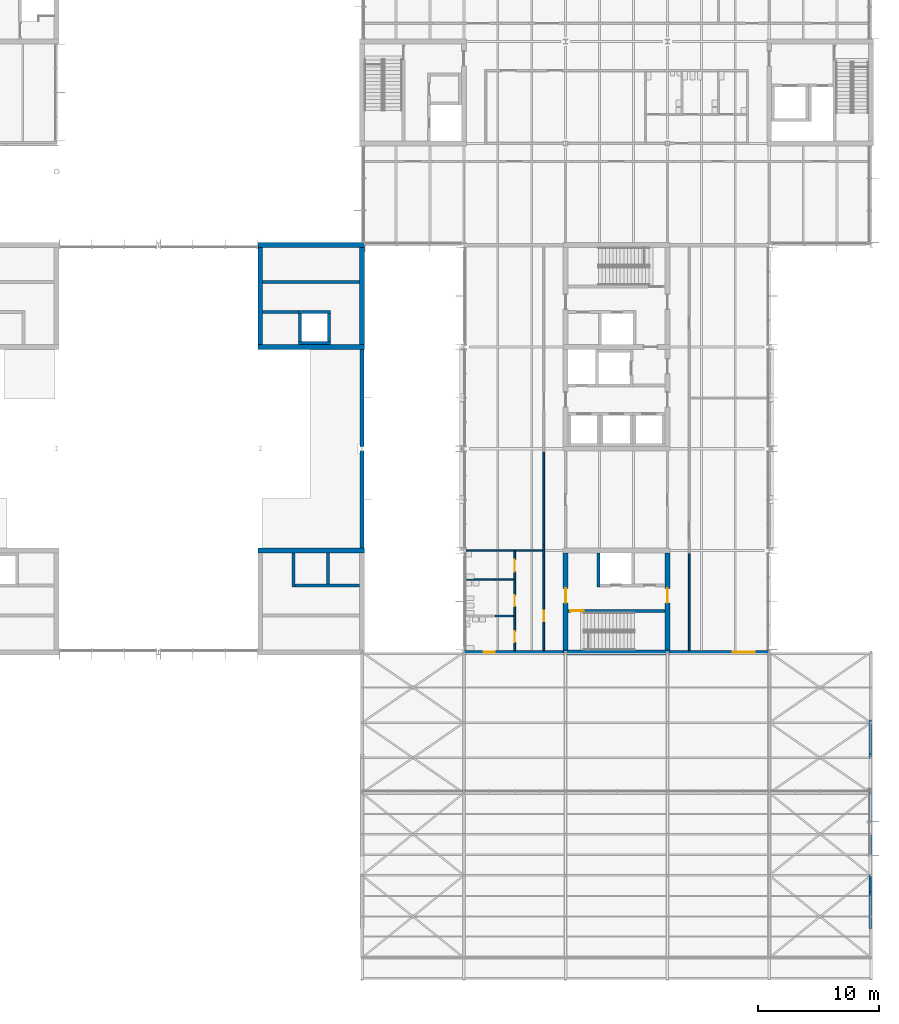
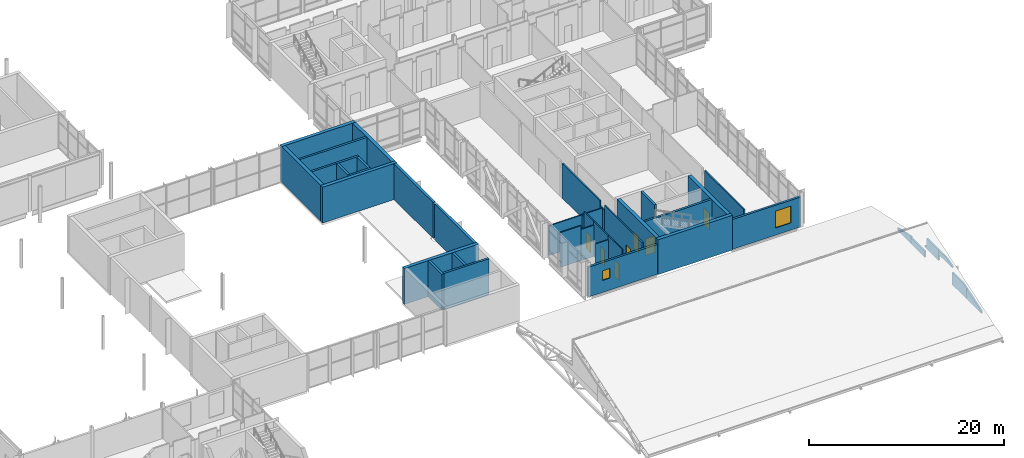
# One storey, part 53 of 89: 43 walls, 7 doors, 2 windows, 9 openings.
"""IFC4 building model written with IfcOpenShell, lengths in metres."""

import ifcopenshell
import ifcopenshell.guid

model = None  # the IFC model being written
_history = None  # IfcOwnerHistory: only IFC2X3 demands one
_inside = {}  # id of a spatial element -> (the spatial element, [elements in it])
_under = {}  # id of a project, library or spatial element -> (it, [spatial elements below it])
_declared = {}  # id of a project -> (the project, [libraries it declares])
_typed = {}  # id of a type object -> (the type object, [elements of that type])
_made_of = {}  # id of a material, layer set ... -> (it, [elements and type objects made of it])


def new_model(schema):
    """Start an empty IFC model of exactly this schema.

    Asked for "IFC4X3", IfcOpenShell would pick the latest addendum, in which some entities
    have other attributes; the version numbers below select the first issue.
    IFC2X3 requires an IfcOwnerHistory on every rooted entity: one is made here for all.
    """
    global model, _history
    if schema == "IFC4X3":
        model = ifcopenshell.file(schema_version=(4, 3, 0, 0))
    else:
        model = ifcopenshell.file(schema=schema)
    _inside.clear()
    _under.clear()
    _declared.clear()
    _typed.clear()
    _made_of.clear()
    _history = None
    if model.schema == "IFC2X3":
        org = make("IfcOrganization", Name="unknown")
        user = make(
            "IfcPersonAndOrganization",
            ThePerson=make("IfcPerson", FamilyName="unknown"),
            TheOrganization=org,
        )
        app = make(
            "IfcApplication",
            ApplicationDeveloper=org,
            Version="unknown",
            ApplicationFullName="unknown",
            ApplicationIdentifier="unknown",
        )
        _history = make(
            "IfcOwnerHistory",
            OwningUser=user,
            OwningApplication=app,
            ChangeAction="ADDED",
            CreationDate=0,
        )
    return model


def make(cls, **values):
    """One entity of the class cls with the attributes given. An attribute that is None is left unset."""
    return model.create_entity(
        cls, **{name: value for name, value in values.items() if value is not None}
    )


def rooted(cls, **values):
    """An entity with a GlobalId (a new one), such as an element, a storey or a relation."""
    return make(cls, GlobalId=ifcopenshell.guid.new(), OwnerHistory=_history, **values)


def si_unit(unit_type, name, prefix=None):
    """IfcSIUnit, for example si_unit("LENGTHUNIT", "METRE", prefix="MILLI")."""
    return make("IfcSIUnit", UnitType=unit_type, Prefix=prefix, Name=name)


def assignment(units):
    """IfcUnitAssignment: the units of a project."""
    return None if units is None else make("IfcUnitAssignment", Units=units)


def point(xyz):
    """IfcCartesianPoint."""
    return None if xyz is None else make("IfcCartesianPoint", Coordinates=xyz)


def direction(xyz):
    """IfcDirection."""
    return None if xyz is None else make("IfcDirection", DirectionRatios=xyz)


def frame(location, z_axis=None, x_axis=None):
    """IfcAxis2Placement3D, a coordinate frame: its origin and axes. An axis left out is left unset."""
    return make(
        "IfcAxis2Placement3D",
        Location=point(location),
        Axis=direction(z_axis),
        RefDirection=direction(x_axis),
    )


def frame_2d(location, x_axis=None):
    """IfcAxis2Placement2D, a coordinate frame in the plane: its origin and x axis."""
    return make(
        "IfcAxis2Placement2D", Location=point(location), RefDirection=direction(x_axis)
    )


def origin():
    """The frame at (0, 0, 0) with its axes left unset."""
    return frame((0.0, 0.0, 0.0))


def place(relative_to, where):
    """IfcLocalPlacement: puts the frame where relative to a parent placement (None: the world)."""
    return make(
        "IfcLocalPlacement", PlacementRelTo=relative_to, RelativePlacement=where
    )


def context(
    kind, dimensions, precision=None, world=None, true_north=None, identifier=None
):
    """IfcGeometricRepresentationContext, for example the 3D "Model" context."""
    return make(
        "IfcGeometricRepresentationContext",
        ContextIdentifier=identifier,
        ContextType=kind,
        CoordinateSpaceDimension=dimensions,
        Precision=precision,
        WorldCoordinateSystem=world,
        TrueNorth=true_north,
    )


def subcontext(parent, identifier, kind, view, scale=None):
    """IfcGeometricRepresentationSubContext, for example "Body" below "Model"."""
    return make(
        "IfcGeometricRepresentationSubContext",
        ContextIdentifier=identifier,
        ContextType=kind,
        ParentContext=parent,
        TargetScale=scale,
        TargetView=view,
    )


def project(units=None, contexts=None):
    """IfcProject with its units and contexts."""
    return rooted(
        "IfcProject",
        Name="project",
        RepresentationContexts=contexts,
        UnitsInContext=assignment(units),
    )


def spatial(cls, under=None, at=None, **own):
    """A site, building, storey or space (cls), placed at a placement, below another one or the project."""
    s = rooted(cls, ObjectPlacement=at, **own)
    if under is not None:
        _under.setdefault(under.id(), (under, []))[1].append(s)
    return s


def polyline(points):
    """IfcPolyline through the points."""
    return make("IfcPolyline", Points=[point(p) for p in points])


def profile(cls, at=None, kind="AREA", **sizes):
    """A parametric profile (cls). Its sizes go by their IFC names, for example OverallWidth=200.0."""
    return make(cls, ProfileType=kind, Position=at, **sizes)


def rectangle(**sizes):
    """IfcRectangleProfileDef."""
    return profile("IfcRectangleProfileDef", **sizes)


def outline(outer, holes=None, kind="AREA"):
    """IfcArbitraryClosedProfileDef: a profile drawn as a closed curve; with holes, ...WithVoids."""
    if holes is None:
        return make("IfcArbitraryClosedProfileDef", ProfileType=kind, OuterCurve=outer)
    return make(
        "IfcArbitraryProfileDefWithVoids",
        ProfileType=kind,
        OuterCurve=outer,
        InnerCurves=holes,
    )


def extrude(swept, where, along, depth):
    """IfcExtrudedAreaSolid: the profile swept, set in the frame where, extruded along a direction by depth."""
    return make(
        "IfcExtrudedAreaSolid",
        SweptArea=swept,
        Position=where,
        ExtrudedDirection=direction(along),
        Depth=depth,
    )


def shape(context_of_items, identifier, shape_type, items):
    """IfcShapeRepresentation: the items that make up one representation, for example the "Body"."""
    return make(
        "IfcShapeRepresentation",
        ContextOfItems=context_of_items,
        RepresentationIdentifier=identifier,
        RepresentationType=shape_type,
        Items=items,
    )


def material(Name=None, Category=None):
    """IfcMaterial."""
    return make("IfcMaterial", Name=Name, Category=Category)


def layer(
    of_material, thickness, ventilated=None, Name=None, Category=None, Priority=None
):
    """IfcMaterialLayer: one layer of a wall or slab, of a material (None: an air gap)."""
    return make(
        "IfcMaterialLayer",
        Material=of_material,
        LayerThickness=thickness,
        IsVentilated=ventilated,
        Name=Name,
        Category=Category,
        Priority=Priority,
    )


def layer_set(layers, Name=None):
    """IfcMaterialLayerSet."""
    return make("IfcMaterialLayerSet", MaterialLayers=layers, LayerSetName=Name)


def made_of(thing, what):
    """Note that an element or type object is made of a material, layer set ...; save() writes the relation."""
    if what is not None:
        _made_of.setdefault(what.id(), (what, []))[1].append(thing)
    return thing


def type_object(cls, material=None, **own):
    """A type object (cls), such as IfcWallType, which elements share."""
    return made_of(rooted(cls, **own), material)


def element(
    cls,
    number,
    at=None,
    inside=None,
    cuts=None,
    type_object=None,
    material=None,
    context=None,
    identifier="Body",
    shape_type=None,
    held_by="IfcProductDefinitionShape",
    body=None,
    shapes=None,
    **own,
):
    """One element of the class cls, such as IfcWall. Its Tag is "e" and its number.

    at: its placement. inside: the storey or other place that contains it. cuts: it is an
    opening in that element (IfcRelVoidsElement). A single representation is given by context,
    identifier, shape_type and body (its items); several are given by shapes. held_by: the class
    of the entity that holds the representations. save() writes the other relations.
    """
    e = rooted(cls, Tag="e%d" % number, ObjectPlacement=at, **own)
    if body is not None:
        shapes = [shape(context, identifier, shape_type, body)]
    if shapes is not None:
        e.Representation = make(held_by, Representations=shapes)
    if inside is not None:
        _inside.setdefault(inside.id(), (inside, []))[1].append(e)
    if cuts is not None:
        rooted(
            "IfcRelVoidsElement", RelatingBuildingElement=cuts, RelatedOpeningElement=e
        )
    if type_object is not None:
        _typed.setdefault(type_object.id(), (type_object, []))[1].append(e)
    return made_of(e, material)


def fill(opening, filler):
    """IfcRelFillsElement: the door or window that sits in an opening."""
    return rooted(
        "IfcRelFillsElement",
        RelatingOpeningElement=opening,
        RelatedBuildingElement=filler,
    )


def aggregate(whole, parts):
    """IfcRelAggregates: a whole, such as a stair, and the parts it consists of."""
    return rooted("IfcRelAggregates", RelatingObject=whole, RelatedObjects=parts)


def save(model, path):
    """Write the relations noted so far, then the file.

    IfcRelAggregates (storeys below a building ...), IfcRelContainedInSpatialStructure (elements
    in a storey), IfcRelDefinesByType, IfcRelAssociatesMaterial and IfcRelDeclares: one each for
    every whole, place, type object, material and project.
    """
    for whole, parts in _under.values():
        aggregate(whole, parts)
    for where, things in _inside.values():
        rooted(
            "IfcRelContainedInSpatialStructure",
            RelatedElements=things,
            RelatingStructure=where,
        )
    for kind, things in _typed.values():
        rooted("IfcRelDefinesByType", RelatedObjects=things, RelatingType=kind)
    for what, things in _made_of.values():
        rooted("IfcRelAssociatesMaterial", RelatedObjects=things, RelatingMaterial=what)
    for by, libraries in _declared.values():
        rooted("IfcRelDeclares", RelatingContext=by, RelatedDefinitions=libraries)
    model.write(path)


model = new_model("IFC4")

# Units and contexts
model_context = context("Model", 3, precision=1e-05, world=origin(), true_north=direction((0.0, 1.0)))
body_context = subcontext(model_context, "Body", "Model", "MODEL_VIEW")
ifc_project = project(units=[si_unit("LENGTHUNIT", "METRE"), si_unit("AREAUNIT", "SQUARE_METRE"), si_unit("VOLUMEUNIT", "CUBIC_METRE"), si_unit("PLANEANGLEUNIT", "RADIAN"), si_unit("MASSUNIT", "GRAM", prefix="KILO")], contexts=[model_context])

# Site, building, storey
site_placement = place(None, origin())
site = spatial("IfcSite", under=ifc_project, at=site_placement, CompositionType="ELEMENT")
building_placement = place(site_placement, origin())
building = spatial("IfcBuilding", under=site, at=building_placement, Name="Hlaing Beacon Police Headquarters", CompositionType="ELEMENT")
storey_placement = place(building_placement, frame((0.0, 0.0, 9.89990234375)))
storey = spatial("IfcBuildingStorey", under=building, at=storey_placement, Name="L02", CompositionType="ELEMENT", Elevation=9.89990234375)

# Walls
ifc_material_1 = material(Name="Concrete C60/75", Category="concrete")
ifc_layer_1 = layer(ifc_material_1, 0.39990234375)
ifc_layer_set_1 = layer_set([ifc_layer_1], Name="Concrete C60/75")
wall_type_1 = type_object("IfcWallType", Name="Core shear wall 400", PredefinedType="SHEAR", material=ifc_layer_set_1)
for number, where, z_axis, x_axis, name in (
    (1, (83.800048828125, 42.0, 0.0), (0.0, 0.0, 1.0), (1.0, 0.0, 0.0), "Core shear wall"),
    (2, (83.800048828125, 58.800048828125, 0.0), (0.0, 0.0, 1.0), (1.0, 0.0, 0.0), "Core shear wall"),
    (3, (83.800048828125, 67.199951171875, 0.0), (0.0, 0.0, 1.0), (1.0, 0.0, 0.0), "Core shear wall"),
):
    element("IfcWall", number, at=place(storey_placement, frame(where, z_axis=z_axis, x_axis=x_axis)), inside=storey, type_object=wall_type_1, Name=name, PredefinedType="SHEAR", context=body_context, shape_type="SweptSolid", body=[
        extrude(rectangle(XDim=8.800048828125, YDim=0.39990234375, at=frame_2d((4.39990234375, 0.0))), origin(), (0.0, 0.0, 1.0), 4.5),
    ])
for number, where, z_axis, x_axis, name in (
    (4, (84.0, 59.0, 0.0), (0.0, 0.0, 1.0), (0.0, 1.0, 0.0), "Core shear wall"),
    (5, (92.39990234375, 59.0, 0.0), (0.0, 0.0, 1.0), (0.0, 1.0, 0.0), "Core shear wall"),
):
    element("IfcWall", number, at=place(storey_placement, frame(where, z_axis=z_axis, x_axis=x_axis)), inside=storey, type_object=wall_type_1, Name=name, PredefinedType="SHEAR", context=body_context, shape_type="SweptSolid", body=[
        extrude(rectangle(XDim=8.0, YDim=0.39990234375, at=frame_2d((4.0, 0.0))), origin(), (0.0, 0.0, 1.0), 4.5),
    ])
wall_1_placement = place(storey_placement, frame((109.0, 33.60009765625, 0.0), z_axis=(0.0, 0.0, 1.0), x_axis=(1.0, 0.0, 0.0)))
element("IfcWall", 6, at=wall_1_placement, inside=storey, type_object=wall_type_1, Name="Core shear wall", PredefinedType="SHEAR", context=body_context, shape_type="SweptSolid", body=[
    extrude(rectangle(XDim=8.800048828125, YDim=0.39990234375, at=frame_2d((4.39990234375, 0.0))), origin(), (0.0, 0.0, 1.0), 4.3701171875),
])

# Wall, opening, door
wall_2_placement = place(storey_placement, frame((109.199951171875, 33.800048828125, 0.0), z_axis=(0.0, 0.0, 1.0), x_axis=(0.0, 1.0, 0.0)))
wall_2 = element("IfcWall", 7, at=wall_2_placement, inside=storey, type_object=wall_type_1, Name="Core shear wall", PredefinedType="SHEAR", context=body_context, shape_type="SweptSolid", body=[
    extrude(rectangle(XDim=8.0, YDim=0.39990234375, at=frame_2d((4.0, 0.0))), origin(), (0.0, 0.0, 1.0), 4.3701171875),
])
opening_1_placement = place(wall_2_placement, frame((3.875, 0.0, 0.0)))
opening_1 = element("IfcOpeningElement", 8, at=opening_1_placement, cuts=wall_2, Name="Opening L02-925", PredefinedType="OPENING", context=body_context, shape_type="SweptSolid", body=[
    extrude(rectangle(XDim=1.199951171875, YDim=2.10009765625, at=frame_2d((0.60009765625, 1.050048828125))), frame((0.0, 0.2099609375, 0.0), z_axis=(0.0, -1.0, 0.0), x_axis=(1.0, 0.0, 0.0)), (0.0, 0.0, 1.0), 0.419921875),
])
ifc_material_2 = material(Name="Steel fire door leaf", Category="steel")
ifc_layer_2 = layer(ifc_material_2, 0.070068359375)
ifc_layer_set_2 = layer_set([ifc_layer_2], Name="Steel fire door leaf")
door_type_1 = type_object("IfcDoorType", Name="Steel fire door FD60S 1200x2100", OperationType="SINGLE_SWING_LEFT", PredefinedType="DOOR", material=ifc_layer_set_2)
door_1_placement = place(opening_1_placement, frame((1.199951171875, 0.0, 0.0), z_axis=(0.0, 0.0, 1.0), x_axis=(-1.0, 0.0, 0.0)))
door_1 = element("IfcDoor", 9, at=door_1_placement, inside=storey, type_object=door_type_1, Name="Door Stair Lobby ST-L Entry", OperationType="SINGLE_SWING_RIGHT", OverallHeight=2.10009765625, OverallWidth=1.199951171875, PredefinedType="DOOR", context=body_context, shape_type="SweptSolid", body=[
    extrude(rectangle(XDim=1.199951171875, YDim=2.10009765625, at=frame_2d((0.599853515625, 1.050048828125))), frame((0.0, 0.034912109375, 0.0), z_axis=(0.0, -1.0, 0.0), x_axis=(1.0, 0.0, 0.0)), (0.0, 0.0, 1.0), 0.070068359375),
])
fill(opening_1, door_1)

wall_3_placement = place(storey_placement, frame((117.60009765625, 33.800048828125, 0.0), z_axis=(0.0, 0.0, 1.0), x_axis=(0.0, 1.0, 0.0)))
wall_3 = element("IfcWall", 10, at=wall_3_placement, inside=storey, type_object=wall_type_1, Name="Core shear wall", PredefinedType="SHEAR", context=body_context, shape_type="SweptSolid", body=[
    extrude(rectangle(XDim=8.0, YDim=0.39990234375, at=frame_2d((4.0, 0.0))), origin(), (0.0, 0.0, 1.0), 4.3701171875),
])
opening_2_placement = place(wall_3_placement, frame((3.875, 0.0, 0.0)))
opening_2 = element("IfcOpeningElement", 11, at=opening_2_placement, cuts=wall_3, Name="Opening L02-926", PredefinedType="OPENING", context=body_context, shape_type="SweptSolid", body=[
    extrude(rectangle(XDim=1.199951171875, YDim=2.10009765625, at=frame_2d((0.60009765625, 1.050048828125))), frame((0.0, 0.2099609375, 0.0), z_axis=(0.0, -1.0, 0.0), x_axis=(1.0, 0.0, 0.0)), (0.0, 0.0, 1.0), 0.419921875),
])
door_2_placement = place(opening_2_placement, origin())
door_2 = element("IfcDoor", 12, at=door_2_placement, inside=storey, type_object=door_type_1, Name="Door Stair Lobby ST-L Entry", OperationType="SINGLE_SWING_LEFT", OverallHeight=2.10009765625, OverallWidth=1.199951171875, PredefinedType="DOOR", context=body_context, shape_type="SweptSolid", body=[
    extrude(rectangle(XDim=1.199951171875, YDim=2.10009765625, at=frame_2d((0.60009765625, 1.050048828125))), frame((0.0, 0.03515625, 0.0), z_axis=(0.0, -1.0, 0.0), x_axis=(1.0, 0.0, 0.0)), (0.0, 0.0, 1.0), 0.070068359375),
])
fill(opening_2, door_2)

# Wall
ifc_material_3 = material(Name="Gypsum board partition")
ifc_layer_3 = layer(ifc_material_3, 0.14990234375)
ifc_layer_set_3 = layer_set([ifc_layer_3], Name="Gypsum board partition")
wall_type_2 = type_object("IfcWallType", Name="Corridor wall EI 30 150", PredefinedType="PARTITIONING", material=ifc_layer_set_3)
wall_4_placement = place(storey_placement, frame((119.39990234375, 33.75, 0.0), z_axis=(0.0, 0.0, 1.0), x_axis=(0.0, 1.0, 0.0)))
element("IfcWall", 13, at=wall_4_placement, inside=storey, type_object=wall_type_2, Name="Corridor wall EI 30 150", PredefinedType="PARTITIONING", context=body_context, shape_type="SweptSolid", body=[
    extrude(rectangle(XDim=8.02001953125, YDim=0.14990234375, at=frame_2d((4.010009765625, 0.0))), origin(), (0.0, 0.0, 1.0), 4.3701171875),
])

# Wall, opening, door
wall_5_placement = place(storey_placement, frame((107.39990234375, 33.75, 0.0), z_axis=(0.0, 0.0, 1.0), x_axis=(0.0, 1.0, 0.0)))
wall_5 = element("IfcWall", 14, at=wall_5_placement, inside=storey, type_object=wall_type_2, Name="Corridor wall EI 30 150", PredefinedType="PARTITIONING", context=body_context, shape_type="SweptSolid", body=[
    extrude(rectangle(XDim=7.7900390625, YDim=0.14990234375, at=frame_2d((3.89501953125, 0.0))), origin(), (0.0, 0.0, 1.0), 4.3701171875),
])
opening_3_placement = place(wall_5_placement, frame((2.39990234375, 0.0, 0.0)))
opening_3 = element("IfcOpeningElement", 15, at=opening_3_placement, cuts=wall_5, Name="Opening L02-027", PredefinedType="OPENING", context=body_context, shape_type="SweptSolid", body=[
    extrude(rectangle(XDim=0.89990234375, YDim=2.10009765625, at=frame_2d((0.449951171875, 1.050048828125))), frame((0.0, 0.0849609375, 0.0), z_axis=(0.0, -1.0, 0.0), x_axis=(1.0, 0.0, 0.0)), (0.0, 0.0, 1.0), 0.169921875),
])
ifc_material_4 = material(Name="Hardwood door leaf", Category="wood")
ifc_layer_4 = layer(ifc_material_4, 0.050048828125)
ifc_layer_set_4 = layer_set([ifc_layer_4], Name="Hardwood door leaf")
door_type_2 = type_object("IfcDoorType", Name="Fire door FD30S 900x2100", OperationType="SINGLE_SWING_LEFT", PredefinedType="DOOR", material=ifc_layer_set_4)
door_3_placement = place(opening_3_placement, origin())
door_3 = element("IfcDoor", 16, at=door_3_placement, inside=storey, type_object=door_type_2, Name="Door WC Lobby", OperationType="SINGLE_SWING_LEFT", OverallHeight=2.10009765625, OverallWidth=0.89990234375, PredefinedType="DOOR", context=body_context, shape_type="SweptSolid", body=[
    extrude(rectangle(XDim=0.89990234375, YDim=2.10009765625, at=frame_2d((0.449951171875, 1.050048828125))), frame((0.0, 0.02490234375, 0.0), z_axis=(0.0, -1.0, 0.0), x_axis=(1.0, 0.0, 0.0)), (0.0, 0.0, 1.0), 0.050048828125),
])
fill(opening_3, door_3)

# Walls
for number, where, z_axis, x_axis, name in (
    (17, (107.39990234375, 41.5400390625, 0.0), (0.0, 0.0, 1.0), (0.0, 1.0, 0.0), "Corridor wall EI 30 150"),
    (18, (107.39990234375, 42.0, 0.0), (0.0, 0.0, 1.0), (0.0, 1.0, 0.0), "Corridor wall EI 30 150"),
):
    element("IfcWall", number, at=place(storey_placement, frame(where, z_axis=z_axis, x_axis=x_axis)), inside=storey, type_object=wall_type_2, Name=name, PredefinedType="PARTITIONING", context=body_context, shape_type="SweptSolid", body=[
        extrude(rectangle(XDim=0.4599609375, YDim=0.14990234375, at=frame_2d((0.22998046875, 0.0))), origin(), (0.0, 0.0, 1.0), 3.74609375),
    ])
wall_6_placement = place(storey_placement, frame((107.39990234375, 42.4599609375, 0.0), z_axis=(0.0, 0.0, 1.0), x_axis=(0.0, 1.0, 0.0)))
element("IfcWall", 19, at=wall_6_placement, inside=storey, type_object=wall_type_2, Name="Corridor wall EI 30 150", PredefinedType="PARTITIONING", context=body_context, shape_type="SweptSolid", body=[
    extrude(rectangle(XDim=7.7099609375, YDim=0.14990234375, at=frame_2d((3.85498046875, 0.0))), origin(), (0.0, 0.0, 1.0), 4.3701171875),
])
ifc_material_5 = material(Name="Insulated aluminium panel infill", Category="aluminium")
ifc_layer_5 = layer(ifc_material_5, 0.175048828125)
ifc_layer_set_5 = layer_set([ifc_layer_5], Name="Insulated aluminium panel infill")
wall_type_3 = type_object("IfcWallType", Name="Insulated panel infill wall 175", PredefinedType="SOLIDWALL", material=ifc_layer_set_5)
wall_7_placement = place(storey_placement, frame((134.33740234375, 10.8173828125, 0.0), z_axis=(0.0, 0.0, 1.0), x_axis=(0.0, 1.0, 0.0)))
element("IfcWall", 20, at=wall_7_placement, inside=storey, type_object=wall_type_3, Name="Gable fascia L02 E001", PredefinedType="SOLIDWALL", context=body_context, shape_type="SweptSolid", body=[
    extrude(outline(polyline([(0.0, 0.0), (2.9912109375, 0.0), (2.9912109375, 1.28955078125), (0.0, 0.300048828125), (0.0, 0.0)])), frame((0.0, 0.08740234375, 0.0), z_axis=(0.0, -1.0, 0.0), x_axis=(1.0, 0.0, 0.0)), (0.0, 0.0, 1.0), 0.175048828125),
])
wall_8_placement = place(storey_placement, frame((134.33740234375, 13.80859375, 0.0), z_axis=(0.0, 0.0, 1.0), x_axis=(0.0, 1.0, 0.0)))
element("IfcWall", 21, at=wall_8_placement, inside=storey, type_object=wall_type_3, Name="Gable fascia L02 E002", PredefinedType="SOLIDWALL", context=body_context, shape_type="SweptSolid", body=[
    extrude(outline(polyline([(0.0, 0.0), (2.991455078125, 0.0), (2.991455078125, 1.51708984375), (0.687744140625, 1.51708984375), (0.0, 1.28955078125), (0.0, 0.0)])), frame((0.0, 0.08740234375, 0.0), z_axis=(0.0, -1.0, 0.0), x_axis=(1.0, 0.0, 0.0)), (0.0, 0.0, 1.0), 0.175048828125),
])
wall_9_placement = place(storey_placement, frame((134.33740234375, 16.800048828125, 2.0791015625), z_axis=(0.0, 0.0, 1.0), x_axis=(0.0, 1.0, 0.0)))
element("IfcWall", 22, at=wall_9_placement, inside=storey, type_object=wall_type_3, Name="Gable fascia L02 E003", PredefinedType="SOLIDWALL", context=body_context, shape_type="SweptSolid", body=[
    extrude(outline(polyline([(0.0, 0.0), (2.800048828125, 0.0), (2.800048828125, 0.56298828125), (1.0966796875, 0.56298828125), (0.0, 0.199951171875), (0.0, 0.0)])), frame((0.0, 0.08740234375, 0.0), z_axis=(0.0, -1.0, 0.0), x_axis=(1.0, 0.0, 0.0)), (0.0, 0.0, 1.0), 0.175048828125),
])
wall_10_placement = place(storey_placement, frame((134.33740234375, 19.60009765625, 1.31396484375), z_axis=(0.0, 0.0, 1.0), x_axis=(0.0, 1.0, 0.0)))
element("IfcWall", 23, at=wall_10_placement, inside=storey, type_object=wall_type_3, Name="Gable fascia L02 E004", PredefinedType="SOLIDWALL", context=body_context, shape_type="SweptSolid", body=[
    extrude(outline(polyline([(0.0, 0.0), (2.7998046875, 0.0), (2.800048828125, 0.199951171875), (2.40087890625, 0.2861328125), (2.400146484375, 1.328125), (0.0, 1.328125), (0.0, 0.0)])), frame((0.0, 0.08740234375, 0.0), z_axis=(0.0, -1.0, 0.0), x_axis=(1.0, 0.0, 0.0)), (0.0, 0.0, 1.0), 0.175048828125),
])
wall_11_placement = place(storey_placement, frame((134.33740234375, 22.39990234375, 0.0), z_axis=(0.0, 0.0, 1.0), x_axis=(0.0, 1.0, 0.0)))
element("IfcWall", 24, at=wall_11_placement, inside=storey, type_object=wall_type_3, Name="Gable fascia L02 E005", PredefinedType="SOLIDWALL", context=body_context, shape_type="SweptSolid", body=[
    extrude(rectangle(XDim=2.800048828125, YDim=0.175048828125, at=frame_2d((1.39990234375, 0.0))), origin(), (0.0, 0.0, 1.0), 0.759033203125),
])
wall_12_placement = place(storey_placement, frame((134.33740234375, 25.199951171875, 0.0), z_axis=(0.0, 0.0, 1.0), x_axis=(0.0, 1.0, 0.0)))
element("IfcWall", 25, at=wall_12_placement, inside=storey, type_object=wall_type_3, Name="Gable fascia L02 E006", PredefinedType="SOLIDWALL", context=body_context, shape_type="SweptSolid", body=[
    extrude(outline(polyline([(0.0, 0.0), (2.8310546875, 0.0), (2.830810546875, 0.300048828125), (0.0, 0.91015625), (0.0, 0.0)])), frame((0.0, 0.08740234375, 0.0), z_axis=(0.0, -1.0, 0.0), x_axis=(1.0, 0.0, 0.0)), (0.0, 0.0, 1.0), 0.175048828125),
])
ifc_material_6 = material(Name="Gypsum board partition")
ifc_layer_6 = layer(ifc_material_6, 0.125)
ifc_layer_set_6 = layer_set([ifc_layer_6], Name="Gypsum board partition")
wall_type_4 = type_object("IfcWallType", Name="Partition 125", PredefinedType="PARTITIONING", material=ifc_layer_set_6)
wall_13_placement = place(storey_placement, frame((100.949951171875, 39.60009765625, 0.0), z_axis=(0.0, 0.0, 1.0), x_axis=(1.0, 0.0, 0.0)))
element("IfcWall", 26, at=wall_13_placement, inside=storey, type_object=wall_type_4, Name="Partition 125", PredefinedType="PARTITIONING", context=body_context, shape_type="SweptSolid", body=[
    extrude(rectangle(XDim=2.45703125, YDim=0.125, at=frame_2d((1.228515625, 0.0))), origin(), (0.0, 0.0, 1.0), 4.3701171875),
])
wall_14_placement = place(storey_placement, frame((103.406982421875, 39.60009765625, 0.0), z_axis=(0.0, 0.0, 1.0), x_axis=(1.0, 0.0, 0.0)))
element("IfcWall", 27, at=wall_14_placement, inside=storey, type_object=wall_type_4, Name="Partition 125", PredefinedType="PARTITIONING", context=body_context, shape_type="SweptSolid", body=[
    extrude(rectangle(XDim=1.531005859375, YDim=0.125, at=frame_2d((0.765625, 0.0))), origin(), (0.0, 0.0, 1.0), 3.89501953125),
])

# Wall, opening, door
wall_15_placement = place(storey_placement, frame((105.0, 39.60009765625, 0.0), z_axis=(0.0, 0.0, 1.0), x_axis=(0.0, 1.0, 0.0)))
wall_15 = element("IfcWall", 28, at=wall_15_placement, inside=storey, type_object=wall_type_4, Name="Partition 125", PredefinedType="PARTITIONING", context=body_context, shape_type="SweptSolid", body=[
    extrude(rectangle(XDim=1.952880859375, YDim=0.125, at=frame_2d((0.9765625, 0.0))), origin(), (0.0, 0.0, 1.0), 4.3701171875),
])
opening_4_placement = place(wall_15_placement, frame((0.64990234375, 0.0, 0.0)))
opening_4 = element("IfcOpeningElement", 29, at=opening_4_placement, cuts=wall_15, Name="Opening L02-025", PredefinedType="OPENING", context=body_context, shape_type="SweptSolid", body=[
    extrude(rectangle(XDim=1.0, YDim=2.10009765625, at=frame_2d((0.5, 1.050048828125))), frame((0.0, 0.072509765625, 0.0), z_axis=(0.0, -1.0, 0.0), x_axis=(1.0, 0.0, 0.0)), (0.0, 0.0, 1.0), 0.14501953125),
])
ifc_material_7 = material(Name="Hardwood door leaf", Category="wood")
ifc_layer_7 = layer(ifc_material_7, 0.0400390625)
ifc_layer_set_7 = layer_set([ifc_layer_7], Name="Hardwood door leaf")
door_type_3 = type_object("IfcDoorType", Name="Door 1000x2100", OperationType="SINGLE_SWING_LEFT", PredefinedType="DOOR", material=ifc_layer_set_7)
door_4_placement = place(opening_4_placement, origin())
door_4 = element("IfcDoor", 30, at=door_4_placement, inside=storey, type_object=door_type_3, Name="Door Accessible WC", OperationType="SINGLE_SWING_LEFT", OverallHeight=2.10009765625, OverallWidth=1.0, PredefinedType="DOOR", context=body_context, shape_type="SweptSolid", body=[
    extrude(rectangle(XDim=1.0, YDim=2.10009765625, at=frame_2d((0.5, 1.050048828125))), frame((0.0, 0.02001953125, 0.0), z_axis=(0.0, -1.0, 0.0), x_axis=(1.0, 0.0, 0.0)), (0.0, 0.0, 1.0), 0.0400390625),
])
fill(opening_4, door_4)

# Walls
wall_16_placement = place(storey_placement, frame((105.0, 41.552978515625, 0.0), z_axis=(0.0, 0.0, 1.0), x_axis=(0.0, 1.0, 0.0)))
element("IfcWall", 31, at=wall_16_placement, inside=storey, type_object=wall_type_4, Name="Partition 125", PredefinedType="PARTITIONING", context=body_context, shape_type="SweptSolid", body=[
    extrude(rectangle(XDim=0.385009765625, YDim=0.125, at=frame_2d((0.1923828125, 0.0))), origin(), (0.0, 0.0, 1.0), 3.74609375),
])
wall_17_placement = place(storey_placement, frame((100.9990234375, 42.0, 0.0), z_axis=(0.0, 0.0, 1.0), x_axis=(1.0, 0.0, 0.0)))
element("IfcWall", 32, at=wall_17_placement, inside=storey, type_object=wall_type_4, Name="Partition 125", PredefinedType="PARTITIONING", context=body_context, shape_type="SweptSolid", body=[
    extrude(rectangle(XDim=4.0009765625, YDim=0.125, at=frame_2d((2.00048828125, 0.0))), origin(), (0.0, 0.0, 1.0), 3.74609375),
])

# Wall, opening, door
wall_18_placement = place(storey_placement, frame((105.0, 36.60009765625, 0.0), z_axis=(0.0, 0.0, 1.0), x_axis=(0.0, 1.0, 0.0)))
wall_18 = element("IfcWall", 33, at=wall_18_placement, inside=storey, type_object=wall_type_4, Name="Partition 125", PredefinedType="PARTITIONING", context=body_context, shape_type="SweptSolid", body=[
    extrude(rectangle(XDim=3.0, YDim=0.125, at=frame_2d((1.5, 0.0))), origin(), (0.0, 0.0, 1.0), 4.3701171875),
])
opening_5_placement = place(wall_18_placement, frame((0.800048828125, 0.0, 0.0)))
opening_5 = element("IfcOpeningElement", 34, at=opening_5_placement, cuts=wall_18, Name="Opening L02-026", PredefinedType="OPENING", context=body_context, shape_type="SweptSolid", body=[
    extrude(rectangle(XDim=0.89990234375, YDim=2.10009765625, at=frame_2d((0.449951171875, 1.050048828125))), frame((0.0, 0.072509765625, 0.0), z_axis=(0.0, -1.0, 0.0), x_axis=(1.0, 0.0, 0.0)), (0.0, 0.0, 1.0), 0.14501953125),
])
ifc_material_8 = material(Name="Hardwood door leaf", Category="wood")
ifc_layer_8 = layer(ifc_material_8, 0.0400390625)
ifc_layer_set_8 = layer_set([ifc_layer_8], Name="Hardwood door leaf")
door_type_4 = type_object("IfcDoorType", Name="Door 900x2100", OperationType="SINGLE_SWING_LEFT", PredefinedType="DOOR", material=ifc_layer_set_8)
door_5_placement = place(opening_5_placement, origin())
door_5 = element("IfcDoor", 35, at=door_5_placement, inside=storey, type_object=door_type_4, Name="Door Female WC", OperationType="SINGLE_SWING_RIGHT", OverallHeight=2.10009765625, OverallWidth=0.89990234375, PredefinedType="DOOR", context=body_context, shape_type="SweptSolid", body=[
    extrude(rectangle(XDim=0.89990234375, YDim=2.10009765625, at=frame_2d((0.449951171875, 1.050048828125))), frame((0.0, 0.02001953125, 0.0), z_axis=(0.0, -1.0, 0.0), x_axis=(1.0, 0.0, 0.0)), (0.0, 0.0, 1.0), 0.0400390625),
])
fill(opening_5, door_5)

# Wall
wall_19_placement = place(storey_placement, frame((103.406982421875, 36.60009765625, 0.0), z_axis=(0.0, 0.0, 1.0), x_axis=(1.0, 0.0, 0.0)))
element("IfcWall", 36, at=wall_19_placement, inside=storey, type_object=wall_type_4, Name="Partition 125", PredefinedType="PARTITIONING", context=body_context, shape_type="SweptSolid", body=[
    extrude(rectangle(XDim=1.531005859375, YDim=0.125, at=frame_2d((0.765625, 0.0))), origin(), (0.0, 0.0, 1.0), 3.89501953125),
])

# Wall, opening, door
wall_20_placement = place(storey_placement, frame((105.0, 33.75, 0.0), z_axis=(0.0, 0.0, 1.0), x_axis=(0.0, 1.0, 0.0)))
wall_20 = element("IfcWall", 37, at=wall_20_placement, inside=storey, type_object=wall_type_4, Name="Partition 125", PredefinedType="PARTITIONING", context=body_context, shape_type="SweptSolid", body=[
    extrude(rectangle(XDim=2.85009765625, YDim=0.125, at=frame_2d((1.425048828125, 0.0))), origin(), (0.0, 0.0, 1.0), 4.3701171875),
])
opening_6_placement = place(wall_20_placement, frame((0.699951171875, 0.0, 0.0)))
opening_6 = element("IfcOpeningElement", 38, at=opening_6_placement, cuts=wall_20, Name="Opening L02-028", PredefinedType="OPENING", context=body_context, shape_type="SweptSolid", body=[
    extrude(rectangle(XDim=0.89990234375, YDim=2.10009765625, at=frame_2d((0.449951171875, 1.050048828125))), frame((0.0, 0.072509765625, 0.0), z_axis=(0.0, -1.0, 0.0), x_axis=(1.0, 0.0, 0.0)), (0.0, 0.0, 1.0), 0.14501953125),
])
door_6_placement = place(opening_6_placement, origin())
door_6 = element("IfcDoor", 39, at=door_6_placement, inside=storey, type_object=door_type_4, Name="Door Male WC", OperationType="SINGLE_SWING_RIGHT", OverallHeight=2.10009765625, OverallWidth=0.89990234375, PredefinedType="DOOR", context=body_context, shape_type="SweptSolid", body=[
    extrude(rectangle(XDim=0.89990234375, YDim=2.10009765625, at=frame_2d((0.449951171875, 1.050048828125))), frame((0.0, 0.02001953125, 0.0), z_axis=(0.0, -1.0, 0.0), x_axis=(1.0, 0.0, 0.0)), (0.0, 0.0, 1.0), 0.0400390625),
])
fill(opening_6, door_6)

# Wall
wall_21_placement = place(storey_placement, frame((105.0, 42.0, 0.0), z_axis=(0.0, 0.0, 1.0), x_axis=(1.0, 0.0, 0.0)))
element("IfcWall", 40, at=wall_21_placement, inside=storey, type_object=wall_type_4, Name="Partition 125", PredefinedType="PARTITIONING", context=body_context, shape_type="SweptSolid", body=[
    extrude(rectangle(XDim=2.324951171875, YDim=0.125, at=frame_2d((1.16259765625, 0.0))), origin(), (0.0, 0.0, 1.0), 3.74609375),
])

# Wall, opening, window
ifc_material_9 = material(Name="Concrete C40/50 precast ribbed cladding", Category="concrete")
ifc_layer_9 = layer(ifc_material_9, 0.25)
ifc_layer_set_9 = layer_set([ifc_layer_9], Name="Concrete C40/50 precast ribbed cladding")
wall_type_5 = type_object("IfcWallType", Name="Precast ribbed wall 250", PredefinedType="SOLIDWALL", material=ifc_layer_set_9)
wall_22_placement = place(storey_placement, frame((100.801513671875, 33.625, 0.0), z_axis=(0.0, 0.0, 1.0), x_axis=(1.0, 0.0, 0.0)))
wall_22 = element("IfcWall", 41, at=wall_22_placement, inside=storey, type_object=wall_type_5, Name="External wall L02 S028", PredefinedType="SOLIDWALL", context=body_context, shape_type="SweptSolid", body=[
    extrude(rectangle(XDim=8.198486328125, YDim=0.25, at=frame_2d((4.09912109375, 0.0))), origin(), (0.0, 0.0, 1.0), 3.74609375),
])
opening_7_placement = place(wall_22_placement, frame((1.648681640625, 0.0, 1.5)))
opening_7 = element("IfcOpeningElement", 42, at=opening_7_placement, cuts=wall_22, Name="Opening WN20", PredefinedType="OPENING", context=body_context, shape_type="SweptSolid", body=[
    extrude(rectangle(XDim=0.89990234375, YDim=1.199951171875, at=frame_2d((0.449951171875, 0.60009765625))), frame((0.0, 0.135009765625, 0.0), z_axis=(0.0, -1.0, 0.0), x_axis=(1.0, 0.0, 0.0)), (0.0, 0.0, 1.0), 0.27001953125),
])
ifc_material_10 = material(Name="Aluminium frame with solar control glazing", Category="aluminium")
window_type_1 = type_object("IfcWindowType", Name="Service room window 900x1200 frame 80", PartitioningType="SINGLE_PANEL", PredefinedType="WINDOW", material=ifc_material_10)
window_1_placement = place(opening_7_placement, origin())
window_1 = element("IfcWindow", 43, at=window_1_placement, inside=storey, type_object=window_type_1, Name="Window L02 WK", OverallHeight=1.199951171875, OverallWidth=0.89990234375, PartitioningType="SINGLE_PANEL", PredefinedType="WINDOW", context=body_context, shape_type="SweptSolid", body=[
    extrude(rectangle(XDim=0.89990234375, YDim=1.199951171875, at=frame_2d((0.449951171875, 0.60009765625))), frame((0.0, 0.0400390625, 0.0), z_axis=(0.0, -1.0, 0.0), x_axis=(1.0, 0.0, 0.0)), (0.0, 0.0, 1.0), 0.080078125),
])
fill(opening_7, window_1)

wall_23_placement = place(storey_placement, frame((117.800048828125, 33.625, 0.0), z_axis=(0.0, 0.0, 1.0), x_axis=(1.0, 0.0, 0.0)))
wall_23 = element("IfcWall", 44, at=wall_23_placement, inside=storey, type_object=wall_type_5, Name="External wall L02 S029", PredefinedType="SOLIDWALL", context=body_context, shape_type="SweptSolid", body=[
    extrude(rectangle(XDim=8.193603515625, YDim=0.25, at=frame_2d((4.0966796875, 0.0))), origin(), (0.0, 0.0, 1.0), 3.74609375),
])
opening_8_placement = place(wall_23_placement, frame((5.199951171875, 0.0, 0.89990234375)))
opening_8 = element("IfcOpeningElement", 45, at=opening_8_placement, cuts=wall_23, Name="Opening WN16", PredefinedType="OPENING", context=body_context, shape_type="SweptSolid", body=[
    extrude(rectangle(XDim=1.800048828125, YDim=2.10009765625, at=frame_2d((0.89990234375, 1.050048828125))), frame((0.0, 0.135009765625, 0.0), z_axis=(0.0, -1.0, 0.0), x_axis=(1.0, 0.0, 0.0)), (0.0, 0.0, 1.0), 0.27001953125),
])
ifc_material_11 = material(Name="Aluminium frame with solar control glazing", Category="aluminium")
window_type_2 = type_object("IfcWindowType", Name="Wide window 1800x2100 frame 80", PartitioningType="SINGLE_PANEL", PredefinedType="WINDOW", material=ifc_material_11)
window_2_placement = place(opening_8_placement, origin())
window_2 = element("IfcWindow", 46, at=window_2_placement, inside=storey, type_object=window_type_2, Name="Window L02 WM", OverallHeight=2.10009765625, OverallWidth=1.800048828125, PartitioningType="SINGLE_PANEL", PredefinedType="WINDOW", context=body_context, shape_type="SweptSolid", body=[
    extrude(rectangle(XDim=1.800048828125, YDim=2.10009765625, at=frame_2d((0.89990234375, 1.050048828125))), frame((0.0, 0.0400390625, 0.0), z_axis=(0.0, -1.0, 0.0), x_axis=(1.0, 0.0, 0.0)), (0.0, 0.0, 1.0), 0.080078125),
])
fill(opening_8, window_2)

# Walls
ifc_material_12 = material(Name="Concrete C40/50 precast ribbed cladding", Category="concrete")
ifc_layer_10 = layer(ifc_material_12, 0.300048828125)
ifc_layer_set_10 = layer_set([ifc_layer_10], Name="Concrete C40/50 precast ribbed cladding")
wall_type_6 = type_object("IfcWallType", Name="Precast ribbed wall 300", PredefinedType="SOLIDWALL", material=ifc_layer_set_10)
wall_24_placement = place(storey_placement, frame((92.39990234375, 42.199951171875, 0.0), z_axis=(0.0, 0.0, 1.0), x_axis=(0.0, 1.0, 0.0)))
element("IfcWall", 47, at=wall_24_placement, inside=storey, type_object=wall_type_6, Name="External wall L02 E011", PredefinedType="SOLIDWALL", context=body_context, shape_type="SweptSolid", body=[
    extrude(rectangle(XDim=8.04345703125, YDim=0.300048828125, at=frame_2d((4.021728515625, 0.0))), origin(), (0.0, 0.0, 1.0), 4.5),
])
wall_25_placement = place(storey_placement, frame((92.39990234375, 50.556396484375, 0.0), z_axis=(0.0, 0.0, 1.0), x_axis=(0.0, 1.0, 0.0)))
element("IfcWall", 48, at=wall_25_placement, inside=storey, type_object=wall_type_6, Name="External wall L02 E012", PredefinedType="SOLIDWALL", context=body_context, shape_type="SweptSolid", body=[
    extrude(rectangle(XDim=8.043701171875, YDim=0.300048828125, at=frame_2d((4.02197265625, 0.0))), origin(), (0.0, 0.0, 1.0), 4.5),
])
ifc_material_13 = material(Name="Concrete C40/50", Category="concrete")
ifc_layer_11 = layer(ifc_material_13, 0.25)
ifc_layer_set_11 = layer_set([ifc_layer_11], Name="Concrete C40/50")
wall_type_7 = type_object("IfcWallType", Name="Shaft wall 250", PredefinedType="SOLIDWALL", material=ifc_layer_set_11)
wall_26_placement = place(storey_placement, frame((86.72509765625, 39.0, 0.0), z_axis=(0.0, 0.0, 1.0), x_axis=(0.0, 1.0, 0.0)))
element("IfcWall", 49, at=wall_26_placement, inside=storey, type_object=wall_type_7, Name="Lobby wall", PredefinedType="SOLIDWALL", context=body_context, shape_type="SweptSolid", body=[
    extrude(rectangle(XDim=2.800048828125, YDim=0.25, at=frame_2d((1.39990234375, 0.0))), origin(), (0.0, 0.0, 1.0), 4.5),
])
wall_27_placement = place(storey_placement, frame((86.85009765625, 39.125, 0.0), z_axis=(0.0, 0.0, 1.0), x_axis=(1.0, 0.0, 0.0)))
element("IfcWall", 50, at=wall_27_placement, inside=storey, type_object=wall_type_7, Name="Lobby wall", PredefinedType="SOLIDWALL", context=body_context, shape_type="SweptSolid", body=[
    extrude(rectangle(XDim=5.349853515625, YDim=0.25, at=frame_2d((2.6748046875, 0.0))), origin(), (0.0, 0.0, 1.0), 4.5),
])
wall_28_placement = place(storey_placement, frame((89.574951171875, 39.25, 0.0), z_axis=(0.0, 0.0, 1.0), x_axis=(0.0, 1.0, 0.0)))
element("IfcWall", 51, at=wall_28_placement, inside=storey, type_object=wall_type_7, Name="Riser wall", PredefinedType="SOLIDWALL", context=body_context, shape_type="SweptSolid", body=[
    extrude(rectangle(XDim=2.550048828125, YDim=0.25, at=frame_2d((1.27490234375, 0.0))), origin(), (0.0, 0.0, 1.0), 4.5),
])
wall_29_placement = place(storey_placement, frame((92.199951171875, 64.175048828125, 0.0), z_axis=(0.0, 0.0, 1.0), x_axis=(-1.0, 0.0, 0.0)))
element("IfcWall", 52, at=wall_29_placement, inside=storey, type_object=wall_type_7, Name="Stair enclosure wall", PredefinedType="SOLIDWALL", context=body_context, shape_type="SweptSolid", body=[
    extrude(rectangle(XDim=8.0, YDim=0.25, at=frame_2d((4.0, 0.0))), origin(), (0.0, 0.0, 1.0), 4.5),
])
wall_30_placement = place(storey_placement, frame((87.14990234375, 61.675048828125, 0.0), z_axis=(0.0, 0.0, 1.0), x_axis=(-1.0, 0.0, 0.0)))
element("IfcWall", 53, at=wall_30_placement, inside=storey, type_object=wall_type_7, Name="Lobby wall", PredefinedType="SOLIDWALL", context=body_context, shape_type="SweptSolid", body=[
    extrude(rectangle(XDim=2.949951171875, YDim=0.25, at=frame_2d((1.47509765625, 0.0))), origin(), (0.0, 0.0, 1.0), 4.5),
])

# Wall, opening, door
wall_31_placement = place(storey_placement, frame((109.39990234375, 37.02490234375, 0.0), z_axis=(0.0, 0.0, 1.0), x_axis=(1.0, 0.0, 0.0)))
wall_31 = element("IfcWall", 54, at=wall_31_placement, inside=storey, type_object=wall_type_7, Name="Stair enclosure wall", PredefinedType="SOLIDWALL", context=body_context, shape_type="SweptSolid", body=[
    extrude(rectangle(XDim=8.0, YDim=0.25, at=frame_2d((4.0, 0.0))), origin(), (0.0, 0.0, 1.0), 4.3701171875),
])
opening_9_placement = place(wall_31_placement, frame((0.199951171875, 0.0, 0.0)))
opening_9 = element("IfcOpeningElement", 55, at=opening_9_placement, cuts=wall_31, Name="Opening L02-928", PredefinedType="OPENING", context=body_context, shape_type="SweptSolid", body=[
    extrude(rectangle(XDim=1.10009765625, YDim=2.10009765625, at=frame_2d((0.550048828125, 1.050048828125))), frame((0.0, 0.135009765625, 0.0), z_axis=(0.0, -1.0, 0.0), x_axis=(1.0, 0.0, 0.0)), (0.0, 0.0, 1.0), 0.27001953125),
])
ifc_material_14 = material(Name="Steel fire door leaf", Category="steel")
ifc_layer_12 = layer(ifc_material_14, 0.070068359375)
ifc_layer_set_12 = layer_set([ifc_layer_12], Name="Steel fire door leaf")
door_type_5 = type_object("IfcDoorType", Name="Steel fire door FD60 1100x2100", OperationType="SINGLE_SWING_LEFT", PredefinedType="DOOR", material=ifc_layer_set_12)
door_7_placement = place(opening_9_placement, frame((1.10009765625, 0.0, 0.0), z_axis=(0.0, 0.0, 1.0), x_axis=(-1.0, 0.0, 0.0)))
door_7 = element("IfcDoor", 56, at=door_7_placement, inside=storey, type_object=door_type_5, Name="Door Stair ST-L", OperationType="SINGLE_SWING_LEFT", OverallHeight=2.10009765625, OverallWidth=1.10009765625, PredefinedType="DOOR", context=body_context, shape_type="SweptSolid", body=[
    extrude(rectangle(XDim=1.10009765625, YDim=2.10009765625, at=frame_2d((0.550048828125, 1.050048828125))), frame((0.0, 0.034912109375, 0.0), z_axis=(0.0, -1.0, 0.0), x_axis=(1.0, 0.0, 0.0)), (0.0, 0.0, 1.0), 0.070068359375),
])
fill(opening_9, door_7)

# Walls
wall_32_placement = place(storey_placement, frame((111.925048828125, 39.0, 0.0), z_axis=(0.0, 0.0, 1.0), x_axis=(0.0, 1.0, 0.0)))
element("IfcWall", 57, at=wall_32_placement, inside=storey, type_object=wall_type_7, Name="Lobby wall", PredefinedType="SOLIDWALL", context=body_context, shape_type="SweptSolid", body=[
    extrude(rectangle(XDim=2.800048828125, YDim=0.25, at=frame_2d((1.39990234375, 0.0))), origin(), (0.0, 0.0, 1.0), 4.3701171875),
])
wall_33_placement = place(storey_placement, frame((89.675048828125, 59.25, 0.0), z_axis=(0.0, 0.0, 1.0), x_axis=(0.0, 1.0, 0.0)))
element("IfcWall", 58, at=wall_33_placement, inside=storey, type_object=wall_type_7, Name="Lift shaft wall PL2", PredefinedType="SOLIDWALL", context=body_context, shape_type="SweptSolid", body=[
    extrude(rectangle(XDim=2.300048828125, YDim=0.25, at=frame_2d((1.14990234375, 0.0))), origin(), (0.0, 0.0, 1.0), 4.5),
])
for number, where, z_axis, x_axis, name in (
    (59, (87.14990234375, 61.675048828125, 0.0), (0.0, 0.0, 1.0), (1.0, 0.0, 0.0), "Lift shaft wall PL2"),
    (60, (87.14990234375, 59.125, 0.0), (0.0, 0.0, 1.0), (1.0, 0.0, 0.0), "Lift shaft wall PL2"),
):
    element("IfcWall", number, at=place(storey_placement, frame(where, z_axis=z_axis, x_axis=x_axis)), inside=storey, type_object=wall_type_7, Name=name, PredefinedType="SOLIDWALL", context=body_context, shape_type="SweptSolid", body=[
        extrude(rectangle(XDim=2.650146484375, YDim=0.25, at=frame_2d((1.3251953125, 0.0))), origin(), (0.0, 0.0, 1.0), 4.5),
    ])
wall_34_placement = place(storey_placement, frame((87.27490234375, 59.25, 0.0), z_axis=(0.0, 0.0, 1.0), x_axis=(0.0, 1.0, 0.0)))
element("IfcWall", 61, at=wall_34_placement, inside=storey, type_object=wall_type_7, Name="Lift shaft wall PL2", PredefinedType="SOLIDWALL", context=body_context, shape_type="SweptSolid", body=[
    extrude(rectangle(XDim=2.300048828125, YDim=0.25, at=frame_2d((1.14990234375, 0.0))), origin(), (0.0, 0.0, 1.0), 4.5),
])

save(model, "model.ifc")
